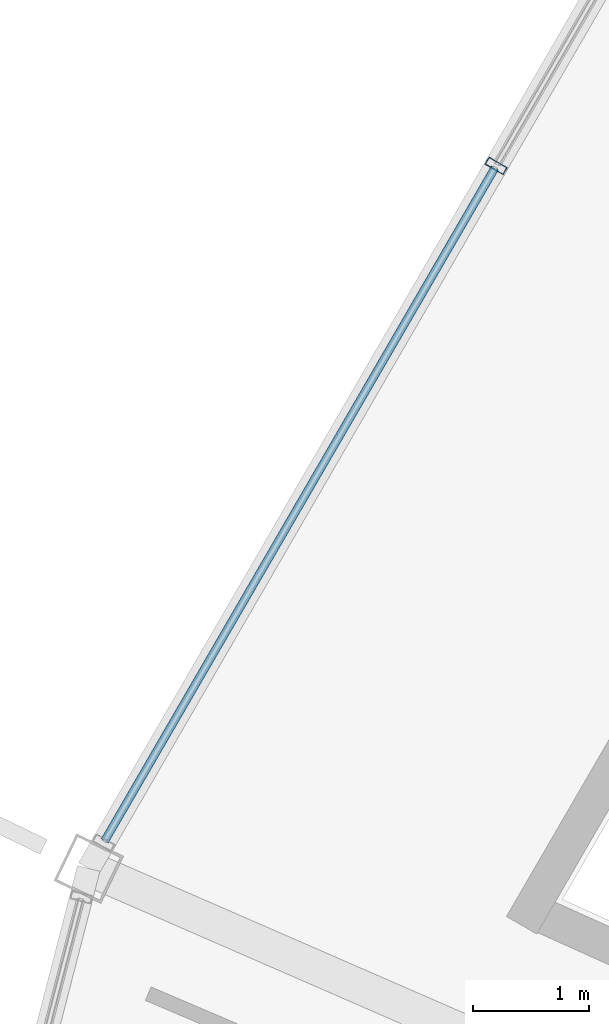
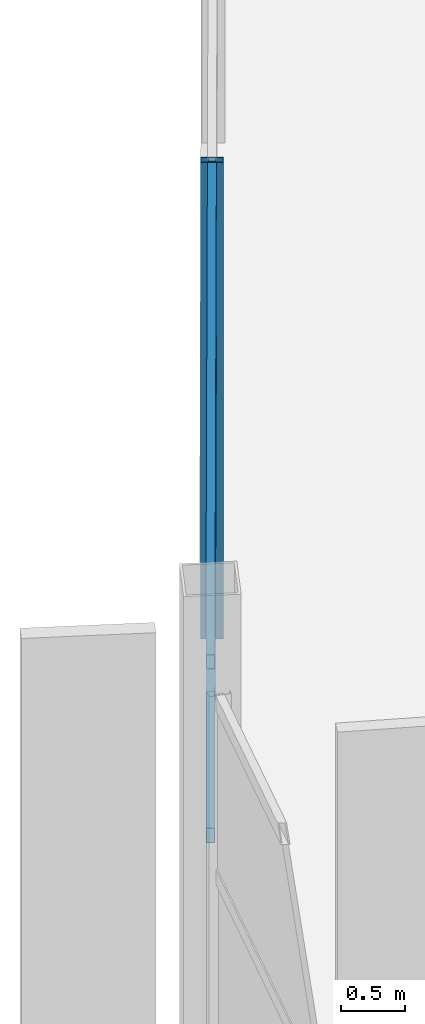
# One storey, part 82 of 186: 3 members, 1 element without a shape of its own.
"""IFC4 building model written with IfcOpenShell, lengths in metres."""

import ifcopenshell
import ifcopenshell.guid

model = None  # the IFC model being written
_history = None  # IfcOwnerHistory: only IFC2X3 demands one
_inside = {}  # id of a spatial element -> (the spatial element, [elements in it])
_under = {}  # id of a project, library or spatial element -> (it, [spatial elements below it])
_declared = {}  # id of a project -> (the project, [libraries it declares])
_typed = {}  # id of a type object -> (the type object, [elements of that type])
_made_of = {}  # id of a material, layer set ... -> (it, [elements and type objects made of it])


def new_model(schema):
    """Start an empty IFC model of exactly this schema.

    Asked for "IFC4X3", IfcOpenShell would pick the latest addendum, in which some entities
    have other attributes; the version numbers below select the first issue.
    IFC2X3 requires an IfcOwnerHistory on every rooted entity: one is made here for all.
    """
    global model, _history
    if schema == "IFC4X3":
        model = ifcopenshell.file(schema_version=(4, 3, 0, 0))
    else:
        model = ifcopenshell.file(schema=schema)
    _inside.clear()
    _under.clear()
    _declared.clear()
    _typed.clear()
    _made_of.clear()
    _history = None
    if model.schema == "IFC2X3":
        org = make("IfcOrganization", Name="unknown")
        user = make(
            "IfcPersonAndOrganization",
            ThePerson=make("IfcPerson", FamilyName="unknown"),
            TheOrganization=org,
        )
        app = make(
            "IfcApplication",
            ApplicationDeveloper=org,
            Version="unknown",
            ApplicationFullName="unknown",
            ApplicationIdentifier="unknown",
        )
        _history = make(
            "IfcOwnerHistory",
            OwningUser=user,
            OwningApplication=app,
            ChangeAction="ADDED",
            CreationDate=0,
        )
    return model


def make(cls, **values):
    """One entity of the class cls with the attributes given. An attribute that is None is left unset."""
    return model.create_entity(
        cls, **{name: value for name, value in values.items() if value is not None}
    )


def rooted(cls, **values):
    """An entity with a GlobalId (a new one), such as an element, a storey or a relation."""
    return make(cls, GlobalId=ifcopenshell.guid.new(), OwnerHistory=_history, **values)


def si_unit(unit_type, name, prefix=None):
    """IfcSIUnit, for example si_unit("LENGTHUNIT", "METRE", prefix="MILLI")."""
    return make("IfcSIUnit", UnitType=unit_type, Prefix=prefix, Name=name)


def assignment(units):
    """IfcUnitAssignment: the units of a project."""
    return None if units is None else make("IfcUnitAssignment", Units=units)


def point(xyz):
    """IfcCartesianPoint."""
    return None if xyz is None else make("IfcCartesianPoint", Coordinates=xyz)


def direction(xyz):
    """IfcDirection."""
    return None if xyz is None else make("IfcDirection", DirectionRatios=xyz)


def frame(location, z_axis=None, x_axis=None):
    """IfcAxis2Placement3D, a coordinate frame: its origin and axes. An axis left out is left unset."""
    return make(
        "IfcAxis2Placement3D",
        Location=point(location),
        Axis=direction(z_axis),
        RefDirection=direction(x_axis),
    )


def frame_2d(location, x_axis=None):
    """IfcAxis2Placement2D, a coordinate frame in the plane: its origin and x axis."""
    return make(
        "IfcAxis2Placement2D", Location=point(location), RefDirection=direction(x_axis)
    )


def origin():
    """The frame at (0, 0, 0) with its axes left unset."""
    return frame((0.0, 0.0, 0.0))


def origin_2d():
    """The frame at (0, 0) in the plane with its x axis left unset."""
    return frame_2d((0.0, 0.0))


def place(relative_to, where):
    """IfcLocalPlacement: puts the frame where relative to a parent placement (None: the world)."""
    return make(
        "IfcLocalPlacement", PlacementRelTo=relative_to, RelativePlacement=where
    )


def context(
    kind, dimensions, precision=None, world=None, true_north=None, identifier=None
):
    """IfcGeometricRepresentationContext, for example the 3D "Model" context."""
    return make(
        "IfcGeometricRepresentationContext",
        ContextIdentifier=identifier,
        ContextType=kind,
        CoordinateSpaceDimension=dimensions,
        Precision=precision,
        WorldCoordinateSystem=world,
        TrueNorth=true_north,
    )


def subcontext(parent, identifier, kind, view, scale=None):
    """IfcGeometricRepresentationSubContext, for example "Body" below "Model"."""
    return make(
        "IfcGeometricRepresentationSubContext",
        ContextIdentifier=identifier,
        ContextType=kind,
        ParentContext=parent,
        TargetScale=scale,
        TargetView=view,
    )


def project(units=None, contexts=None):
    """IfcProject with its units and contexts."""
    return rooted(
        "IfcProject",
        Name="project",
        RepresentationContexts=contexts,
        UnitsInContext=assignment(units),
    )


def spatial(cls, under=None, at=None, **own):
    """A site, building, storey or space (cls), placed at a placement, below another one or the project."""
    s = rooted(cls, ObjectPlacement=at, **own)
    if under is not None:
        _under.setdefault(under.id(), (under, []))[1].append(s)
    return s


def profile(cls, at=None, kind="AREA", **sizes):
    """A parametric profile (cls). Its sizes go by their IFC names, for example OverallWidth=200.0."""
    return make(cls, ProfileType=kind, Position=at, **sizes)


def hollow_rectangle(**sizes):
    """IfcRectangleHollowProfileDef."""
    return profile("IfcRectangleHollowProfileDef", **sizes)


def extrude(swept, where, along, depth):
    """IfcExtrudedAreaSolid: the profile swept, set in the frame where, extruded along a direction by depth."""
    return make(
        "IfcExtrudedAreaSolid",
        SweptArea=swept,
        Position=where,
        ExtrudedDirection=direction(along),
        Depth=depth,
    )


def shape(context_of_items, identifier, shape_type, items):
    """IfcShapeRepresentation: the items that make up one representation, for example the "Body"."""
    return make(
        "IfcShapeRepresentation",
        ContextOfItems=context_of_items,
        RepresentationIdentifier=identifier,
        RepresentationType=shape_type,
        Items=items,
    )


def material(Name=None, Category=None):
    """IfcMaterial."""
    return make("IfcMaterial", Name=Name, Category=Category)


def layer(
    of_material, thickness, ventilated=None, Name=None, Category=None, Priority=None
):
    """IfcMaterialLayer: one layer of a wall or slab, of a material (None: an air gap)."""
    return make(
        "IfcMaterialLayer",
        Material=of_material,
        LayerThickness=thickness,
        IsVentilated=ventilated,
        Name=Name,
        Category=Category,
        Priority=Priority,
    )


def layer_set(layers, Name=None):
    """IfcMaterialLayerSet."""
    return make("IfcMaterialLayerSet", MaterialLayers=layers, LayerSetName=Name)


def material_profile(
    of_material, cross_section, Name=None, Category=None, Priority=None
):
    """IfcMaterialProfile: a cross section and its material."""
    return make(
        "IfcMaterialProfile",
        Name=Name,
        Material=of_material,
        Profile=cross_section,
        Priority=Priority,
        Category=Category,
    )


def profile_set(profiles, Name=None, composite=None):
    """IfcMaterialProfileSet."""
    return make(
        "IfcMaterialProfileSet",
        Name=Name,
        MaterialProfiles=profiles,
        CompositeProfile=composite,
    )


def made_of(thing, what):
    """Note that an element or type object is made of a material, layer set ...; save() writes the relation."""
    if what is not None:
        _made_of.setdefault(what.id(), (what, []))[1].append(thing)
    return thing


def type_object(cls, material=None, **own):
    """A type object (cls), such as IfcWallType, which elements share."""
    return made_of(rooted(cls, **own), material)


def element(
    cls,
    number,
    at=None,
    inside=None,
    cuts=None,
    type_object=None,
    material=None,
    context=None,
    identifier="Body",
    shape_type=None,
    held_by="IfcProductDefinitionShape",
    body=None,
    shapes=None,
    **own,
):
    """One element of the class cls, such as IfcWall. Its Tag is "e" and its number.

    at: its placement. inside: the storey or other place that contains it. cuts: it is an
    opening in that element (IfcRelVoidsElement). A single representation is given by context,
    identifier, shape_type and body (its items); several are given by shapes. held_by: the class
    of the entity that holds the representations. save() writes the other relations.
    """
    e = rooted(cls, Tag="e%d" % number, ObjectPlacement=at, **own)
    if body is not None:
        shapes = [shape(context, identifier, shape_type, body)]
    if shapes is not None:
        e.Representation = make(held_by, Representations=shapes)
    if inside is not None:
        _inside.setdefault(inside.id(), (inside, []))[1].append(e)
    if cuts is not None:
        rooted(
            "IfcRelVoidsElement", RelatingBuildingElement=cuts, RelatedOpeningElement=e
        )
    if type_object is not None:
        _typed.setdefault(type_object.id(), (type_object, []))[1].append(e)
    return made_of(e, material)


def aggregate(whole, parts):
    """IfcRelAggregates: a whole, such as a stair, and the parts it consists of."""
    return rooted("IfcRelAggregates", RelatingObject=whole, RelatedObjects=parts)


def save(model, path):
    """Write the relations noted so far, then the file.

    IfcRelAggregates (storeys below a building ...), IfcRelContainedInSpatialStructure (elements
    in a storey), IfcRelDefinesByType, IfcRelAssociatesMaterial and IfcRelDeclares: one each for
    every whole, place, type object, material and project.
    """
    for whole, parts in _under.values():
        aggregate(whole, parts)
    for where, things in _inside.values():
        rooted(
            "IfcRelContainedInSpatialStructure",
            RelatedElements=things,
            RelatingStructure=where,
        )
    for kind, things in _typed.values():
        rooted("IfcRelDefinesByType", RelatedObjects=things, RelatingType=kind)
    for what, things in _made_of.values():
        rooted("IfcRelAssociatesMaterial", RelatedObjects=things, RelatingMaterial=what)
    for by, libraries in _declared.values():
        rooted("IfcRelDeclares", RelatingContext=by, RelatedDefinitions=libraries)
    model.write(path)


model = new_model("IFC4")

# Units and contexts
model_context = context("Model", 3, precision=1e-05, world=origin(), true_north=direction((0.0, 1.0)))
body_context = subcontext(model_context, "Body", "Model", "MODEL_VIEW")
ifc_project = project(units=[si_unit("LENGTHUNIT", "METRE"), si_unit("AREAUNIT", "SQUARE_METRE"), si_unit("VOLUMEUNIT", "CUBIC_METRE"), si_unit("PLANEANGLEUNIT", "RADIAN"), si_unit("MASSUNIT", "GRAM", prefix="KILO")], contexts=[model_context])

# Site, building, storey
site_placement = place(None, origin())
site = spatial("IfcSite", under=ifc_project, at=site_placement, CompositionType="ELEMENT")
building_placement = place(site_placement, origin())
building = spatial("IfcBuilding", under=site, at=building_placement, Name="Kazemori Nagisa Stadium", CompositionType="ELEMENT")
storey_placement = place(building_placement, frame((0.0, 0.0, 20.39990234375)))
storey = spatial("IfcBuildingStorey", under=building, at=storey_placement, Name="L04", CompositionType="ELEMENT", Elevation=20.39990234375)

# Curtain wall, members
ifc_material_1 = material(Name="Anodised aluminium 6063-T5", Category="aluminium")
ifc_layer = layer(ifc_material_1, 0.179931640625, Name="Anodised aluminium 6063-T5", Category="aluminium")
ifc_layer_set = layer_set([ifc_layer], Name="Anodised aluminium 6063-T5")
curtain_wall_type = type_object("IfcCurtainWallType", Name="CW_L04R3_101", PredefinedType="USERDEFINED", material=ifc_layer_set)
curtain_wall_placement = place(storey_placement, origin())
curtain_wall = element("IfcCurtainWall", 1, at=curtain_wall_placement, inside=storey, type_object=curtain_wall_type, Name="Unitised curtain wall CW-L04R3-101 L04", ObjectType="UNITISED CURTAIN WALL", PredefinedType="USERDEFINED")
ifc_material_2 = material(Name="Aluminium 6063-T5 anodised", Category="aluminium")
ifc_material_profile_1 = material_profile(ifc_material_2, hollow_rectangle(XDim=0.070068359375, YDim=0.179931640625, WallThickness=0.00390625, at=origin_2d()), Name="ALU-MULL-70x180x4")
ifc_profile_set_1 = profile_set([ifc_material_profile_1], Name="Aluminium 6063-T5 anodised")
member_type_1 = type_object("IfcMemberType", Name="Mullion_M01", PredefinedType="MULLION", material=ifc_profile_set_1)
member_1_placement = place(storey_placement, frame((37.620849609375, 146.795654296875, 0.0), z_axis=(0.0, 0.0, 1.0), x_axis=(-0.501611590054, -0.865092950337, 0.0)))
member_1 = element("IfcMember", 2, at=member_1_placement, type_object=member_type_1, Name="Curtain wall mullion CW-L04R3-101-M3", PredefinedType="MULLION", context=body_context, shape_type="SweptSolid", body=[
    extrude(hollow_rectangle(XDim=0.070068359375, YDim=0.179931640625, WallThickness=0.00390625, at=origin_2d()), origin(), (0.0, 0.0, 1.0), 4.530029296875),
])
ifc_material_profile_2 = material_profile(ifc_material_2, hollow_rectangle(XDim=0.070068359375, YDim=0.139892578125, WallThickness=0.00390625, at=origin_2d()), Name="ALU-TRAN-70x140x4")
ifc_profile_set_2 = profile_set([ifc_material_profile_2], Name="Aluminium 6063-T5 anodised")
member_type_2 = type_object("IfcMemberType", Name="Transom_T01", PredefinedType="USERDEFINED", material=ifc_profile_set_2)
member_2_placement = place(storey_placement, frame((37.61083984375, 146.778564453125, 2.80859375), z_axis=(-0.50161984125, -0.865088165948, 0.0), x_axis=(0.865088165948, -0.50161984125, 0.0)))
member_2 = element("IfcMember", 3, at=member_2_placement, type_object=member_type_2, Name="Curtain wall transom CW-L04R3-101-T3-mid", ObjectType="TRANSOM", PredefinedType="USERDEFINED", context=body_context, shape_type="SweptSolid", body=[
    extrude(hollow_rectangle(XDim=0.070068359375, YDim=0.139892578125, WallThickness=0.00390625, at=origin_2d()), origin(), (0.0, 0.0, 1.0), 6.694091796875),
])
member_3_placement = place(storey_placement, frame((37.61083984375, 146.778564453125, 4.460205078125), z_axis=(-0.50161984125, -0.865088165948, 0.0), x_axis=(0.865088165948, -0.50161984125, 0.0)))
member_3 = element("IfcMember", 4, at=member_3_placement, type_object=member_type_2, Name="Curtain wall transom CW-L04R3-101-T3-head", ObjectType="TRANSOM", PredefinedType="USERDEFINED", context=body_context, shape_type="SweptSolid", body=[
    extrude(hollow_rectangle(XDim=0.070068359375, YDim=0.139892578125, WallThickness=0.00390625, at=origin_2d()), origin(), (0.0, 0.0, 1.0), 6.694091796875),
])
aggregate(curtain_wall, [member_1, member_2, member_3])

save(model, "model.ifc")
